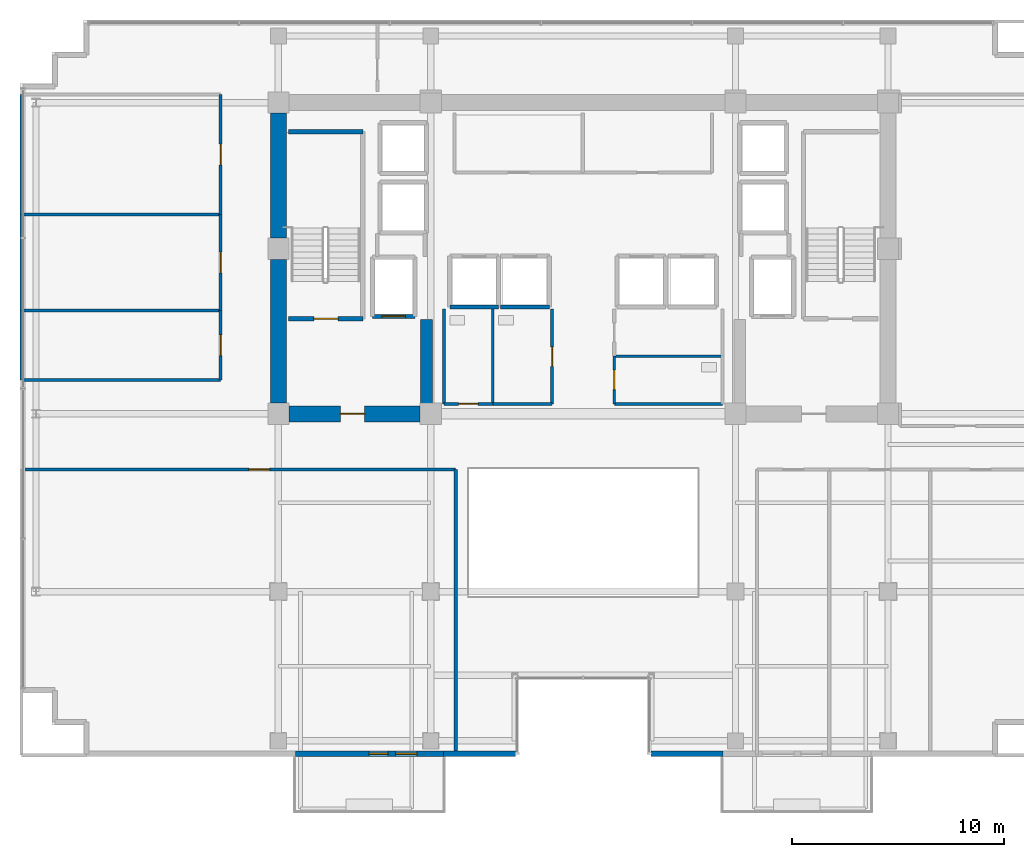
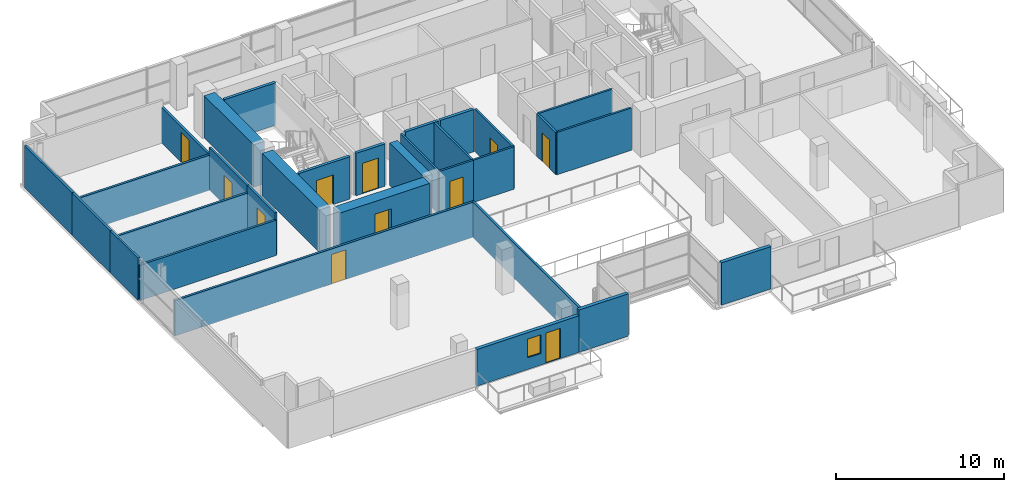
# One storey, part 18 of 25: 31 walls, 11 doors, 1 window, 12 openings.
"""IFC4 building model written with IfcOpenShell, lengths in metres."""

from ifc_helpers import new_model, si_unit, direction, frame, frame_2d, origin, place, context, subcontext, project, spatial, rectangle, extrude, source, transform, mapped, material, layer, layer_set, type_object, element, fill, save


model = new_model("IFC4")

# Units and contexts
model_context = context("Model", 3, precision=1e-05, world=origin(), true_north=direction((0.0, 1.0)))
body_context = subcontext(model_context, "Body", "Model", "MODEL_VIEW")
ifc_project = project(units=[si_unit("LENGTHUNIT", "METRE"), si_unit("AREAUNIT", "SQUARE_METRE"), si_unit("VOLUMEUNIT", "CUBIC_METRE"), si_unit("PLANEANGLEUNIT", "RADIAN"), si_unit("MASSUNIT", "GRAM", prefix="KILO")], contexts=[model_context])

# Site, building, storey
site_placement = place(None, origin())
site = spatial("IfcSite", under=ifc_project, at=site_placement, CompositionType="ELEMENT")
building_placement = place(site_placement, origin())
building = spatial("IfcBuilding", under=site, at=building_placement, Name="Zarnakvel Exchange Tower", CompositionType="ELEMENT")
storey_placement = place(building_placement, frame((0.0, 0.0, 156.10009765625)))
storey = spatial("IfcBuildingStorey", under=building, at=storey_placement, Name="L43", CompositionType="ELEMENT", Elevation=156.10009765625)

# Walls
ifc_material_1 = material(Name="Concrete C60/75", Category="concrete")
ifc_layer_1 = layer(ifc_material_1, 0.75)
ifc_layer_set_1 = layer_set([ifc_layer_1], Name="Concrete C60/75")
wall_type_1 = type_object("IfcWallType", Name="CW-C3", PredefinedType="SHEAR", material=ifc_layer_set_1)
wall_1_placement = place(storey_placement, frame((-14.39990234375, -0.699951171875, 0.0), z_axis=(0.0, 0.0, 1.0), x_axis=(0.0, 1.0, 0.0)))
element("IfcWall", 1, at=wall_1_placement, inside=storey, type_object=wall_type_1, Name="L43 Rear Core Shear Wall W1 (CW-C3)", PredefinedType="SHEAR", context=body_context, shape_type="SweptSolid", body=[
    extrude(rectangle(XDim=6.800048828125, YDim=0.75, at=frame_2d((3.39990234375, 0.0))), origin(), (0.0, 0.0, 1.0), 3.074951171875),
])
wall_2_placement = place(storey_placement, frame((-14.39990234375, 7.10009765625, 0.0), z_axis=(0.0, 0.0, 1.0), x_axis=(0.0, 1.0, 0.0)))
element("IfcWall", 2, at=wall_2_placement, inside=storey, type_object=wall_type_1, Name="L43 Rear Core Shear Wall W2 (CW-C3)", PredefinedType="SHEAR", context=body_context, shape_type="SweptSolid", body=[
    extrude(rectangle(XDim=5.89990234375, YDim=0.75, at=frame_2d((2.949951171875, 0.0))), origin(), (0.0, 0.0, 1.0), 3.074951171875),
])

# Wall, opening, door
wall_3_placement = place(storey_placement, frame((-7.699951171875, -1.199951171875, 0.0), z_axis=(0.0, 0.0, 1.0), x_axis=(-1.0, 0.0, 0.0)))
wall_3 = element("IfcWall", 3, at=wall_3_placement, inside=storey, type_object=wall_type_1, Name="L43 Rear Core Shear Wall SW (CW-C3)", PredefinedType="SHEAR", context=body_context, shape_type="SweptSolid", body=[
    extrude(rectangle(XDim=6.199951171875, YDim=0.75, at=frame_2d((3.10009765625, 0.0))), origin(), (0.0, 0.0, 1.0), 3.074951171875),
])
opening_1_placement = place(wall_3_placement, frame((2.625, 0.0, 0.0)))
opening_1 = element("IfcOpeningElement", 4, at=opening_1_placement, cuts=wall_3, Name="Opening D-L43-03", PredefinedType="OPENING", context=body_context, shape_type="SweptSolid", body=[
    extrude(rectangle(XDim=1.14990234375, YDim=2.14990234375, at=frame_2d((0.574951171875, 1.074951171875))), frame((0.0, 0.385009765625, 0.0), z_axis=(0.0, -1.0, 0.0), x_axis=(1.0, 0.0, 0.0)), (0.0, 0.0, 1.0), 0.77001953125),
])
ifc_material_2 = material(Name="Painted Galvanised Steel S355", Category="steel")
door_type_1 = type_object("IfcDoorType", Name="DT-04", OperationType="NOTDEFINED", PredefinedType="DOOR", material=ifc_material_2)
shared_shape_1 = source(origin(), body_context, "Body", "SweptSolid", [
    extrude(rectangle(XDim=1.14990234375, YDim=2.14990234375, at=frame_2d((0.574951171875, 1.074951171875))), frame((0.0, 0.02490234375, 0.0), z_axis=(0.0, -1.0, 0.0), x_axis=(1.0, 0.0, 0.0)), (0.0, 0.0, 1.0), 0.050048828125),
])
door_1_placement = place(opening_1_placement, origin())
door_1 = element("IfcDoor", 5, at=door_1_placement, inside=storey, type_object=door_type_1, Name="L43 Firefighting Lobby West Door D-L43-03", OperationType="SINGLE_SWING_RIGHT", OverallHeight=2.14990234375, OverallWidth=1.14990234375, PredefinedType="DOOR", context=body_context, shape_type="MappedRepresentation", body=[
    mapped(shared_shape_1, transform((0.0, 0.0, 0.0), x_axis=(1.0, 0.0, 0.0), y_axis=(0.0, 1.0, 0.0), z_axis=(0.0, 0.0, 1.0), scale=1.0)),
])
fill(opening_1, door_1)

# Wall
ifc_layer_2 = layer(ifc_material_1, 0.550048828125)
ifc_layer_set_2 = layer_set([ifc_layer_2], Name="Concrete C60/75")
wall_type_2 = type_object("IfcWallType", Name="CW-C4", PredefinedType="SHEAR", material=ifc_layer_set_2)
wall_4_placement = place(storey_placement, frame((-7.39990234375, -0.824951171875, 0.0), z_axis=(0.0, 0.0, 1.0), x_axis=(0.0, 1.0, 0.0)))
element("IfcWall", 6, at=wall_4_placement, inside=storey, type_object=wall_type_2, Name="L43 Rear Core Shear Wall IW (CW-C4)", PredefinedType="SHEAR", context=body_context, shape_type="SweptSolid", body=[
    extrude(rectangle(XDim=4.074951171875, YDim=0.550048828125, at=frame_2d((2.03759765625, 0.0))), origin(), (0.0, 0.0, 1.0), 3.074951171875),
])

# Wall, openings, door, window
ifc_material_3 = material(Name="Precast concrete C40/50", Category="concrete")
ifc_layer_3 = layer(ifc_material_3, 0.239990234375)
ifc_layer_set_3 = layer_set([ifc_layer_3], Name="Precast concrete C40/50")
wall_type_3 = type_object("IfcWallType", Name="EW-02", PredefinedType="SOLIDWALL", material=ifc_layer_set_3)
wall_5_placement = place(storey_placement, frame((-6.60009765625, -17.260009765625, 0.0), z_axis=(0.0, 0.0, 1.0), x_axis=(-1.0, 0.0, 0.0)))
wall_5 = element("IfcWall", 7, at=wall_5_placement, inside=storey, type_object=wall_type_3, Name="L43 Exterior Precast Spandrel Wall EW-BAL-L43-SW (EW-02)", PredefinedType="SOLIDWALL", context=body_context, shape_type="SweptSolid", body=[
    extrude(rectangle(XDim=7.0, YDim=0.239990234375, at=frame_2d((3.5, 0.0))), origin(), (0.0, 0.0, 1.0), 2.664794921875),
])
opening_2_placement = place(wall_5_placement, frame((1.260009765625, 0.0, 0.0)))
opening_2 = element("IfcOpeningElement", 8, at=opening_2_placement, cuts=wall_5, Name="Opening BD-L43-01", PredefinedType="OPENING", context=body_context, shape_type="SweptSolid", body=[
    extrude(rectangle(XDim=1.0, YDim=2.199951171875, at=frame_2d((0.5, 1.10009765625))), frame((0.0, 0.1298828125, 0.0), z_axis=(0.0, -1.0, 0.0), x_axis=(1.0, 0.0, 0.0)), (0.0, 0.0, 1.0), 0.260009765625),
])
opening_3_placement = place(wall_5_placement, frame((2.610107421875, 0.0, 0.85009765625)))
opening_3 = element("IfcOpeningElement", 9, at=opening_3_placement, cuts=wall_5, Name="Opening WN-06", PredefinedType="OPENING", context=body_context, shape_type="SweptSolid", body=[
    extrude(rectangle(XDim=0.89990234375, YDim=1.35009765625, at=frame_2d((0.449951171875, 0.675048828125))), frame((0.0, 0.1298828125, 0.0), z_axis=(0.0, -1.0, 0.0), x_axis=(1.0, 0.0, 0.0)), (0.0, 0.0, 1.0), 0.260009765625),
])
ifc_material_4 = material(Name="Architectural Bronze Anodised Aluminium", Category="aluminium")
door_type_2 = type_object("IfcDoorType", Name="DT-09", OperationType="NOTDEFINED", PredefinedType="DOOR", material=ifc_material_4)
shared_shape_2 = source(origin(), body_context, "Body", "SweptSolid", [
    extrude(rectangle(XDim=1.0, YDim=2.199951171875, at=frame_2d((0.5, 1.10009765625))), frame((0.0, 0.02490234375, 0.0), z_axis=(0.0, -1.0, 0.0), x_axis=(1.0, 0.0, 0.0)), (0.0, 0.0, 1.0), 0.050048828125),
])
door_2_placement = place(opening_2_placement, origin())
door_2 = element("IfcDoor", 10, at=door_2_placement, inside=storey, type_object=door_type_2, Name="L43 Planted Loggia Balcony Door BD-L43-01", OperationType="SINGLE_SWING_LEFT", OverallHeight=2.199951171875, OverallWidth=1.0, PredefinedType="DOOR", context=body_context, shape_type="MappedRepresentation", body=[
    mapped(shared_shape_2, transform((0.0, 0.0, 0.0), x_axis=(1.0, 0.0, 0.0), y_axis=(0.0, 1.0, 0.0), z_axis=(0.0, 0.0, 1.0), scale=1.0)),
])
fill(opening_2, door_2)
ifc_material_5 = material(Name="Double Low-E Laminated Vision Glass", Category="glass")
window_type = type_object("IfcWindowType", Name="WN-06", PartitioningType="SINGLE_PANEL", PredefinedType="WINDOW", material=ifc_material_5)
shared_shape_3 = source(origin(), body_context, "Body", "SweptSolid", [
    extrude(rectangle(XDim=0.89990234375, YDim=1.35009765625, at=frame_2d((0.449951171875, 0.675048828125))), frame((0.0, 0.030029296875, 0.0), z_axis=(0.0, -1.0, 0.0), x_axis=(1.0, 0.0, 0.0)), (0.0, 0.0, 1.0), 0.06005859375),
])
window_placement = place(opening_3_placement, origin())
window = element("IfcWindow", 11, at=window_placement, inside=storey, type_object=window_type, Name="L43 Loggia Daylight Window (WN-06)", OverallHeight=1.35009765625, OverallWidth=0.89990234375, PartitioningType="SINGLE_PANEL", PredefinedType="WINDOW", context=body_context, shape_type="MappedRepresentation", body=[
    mapped(shared_shape_3, transform((0.0, 0.0, 0.0), x_axis=(1.0, 0.0, 0.0), y_axis=(0.0, 1.0, 0.0), z_axis=(0.0, 0.0, 1.0), scale=1.0)),
])
fill(opening_3, window)

# Walls
for number, where, z_axis, x_axis, name in (
    (12, (3.199951171875, -17.260009765625, 0.0), (0.0, 0.0, 1.0), (1.0, 0.0, 0.0), "L43 Exterior Precast Spandrel Wall EWC-L43-16 (EW-02)"),
    (13, (-6.60009765625, -17.260009765625, 0.0), (0.0, 0.0, 1.0), (1.0, 0.0, 0.0), "L43 Exterior Precast Spandrel Wall EWC-L43-21 (EW-02)"),
):
    element("IfcWall", number, at=place(storey_placement, frame(where, z_axis=z_axis, x_axis=x_axis)), inside=storey, type_object=wall_type_3, Name=name, PredefinedType="SOLIDWALL", context=body_context, shape_type="SweptSolid", body=[
        extrude(rectangle(XDim=3.400146484375, YDim=0.239990234375, at=frame_2d((1.7001953125, 0.0))), origin(), (0.0, 0.0, 1.0), 3.074951171875),
    ])

# Wall, opening, door
ifc_material_6 = material(Name="Fire-Rated Gypsum Stud Partition", Category="gypsum")
ifc_layer_4 = layer(ifc_material_6, 0.14990234375)
ifc_layer_set_4 = layer_set([ifc_layer_4], Name="Fire-Rated Gypsum Stud Partition")
wall_type_4 = type_object("IfcWallType", Name="PT-01", PredefinedType="PARTITIONING", material=ifc_layer_set_4)
wall_6_placement = place(storey_placement, frame((-26.530029296875, -3.830078125, 0.0), z_axis=(0.0, 0.0, 1.0), x_axis=(1.0, 0.0, 0.0)))
wall_6 = element("IfcWall", 14, at=wall_6_placement, inside=storey, type_object=wall_type_4, Name="L43 Partition Wall PWALL-L43-028 (PT-01)", PredefinedType="PARTITIONING", context=body_context, shape_type="SweptSolid", body=[
    extrude(rectangle(XDim=20.510009765625, YDim=0.14990234375, at=frame_2d((10.2548828125, 0.0))), origin(), (0.0, 0.0, 1.0), 2.56494140625),
])
opening_4_placement = place(wall_6_placement, frame((10.739990234375, 0.0, 0.0)))
opening_4 = element("IfcOpeningElement", 15, at=opening_4_placement, cuts=wall_6, Name="Opening D-L43-11", PredefinedType="OPENING", context=body_context, shape_type="SweptSolid", body=[
    extrude(rectangle(XDim=0.97998046875, YDim=2.14990234375, at=frame_2d((0.489990234375, 1.074951171875))), frame((0.0, 0.0849609375, 0.0), z_axis=(0.0, -1.0, 0.0), x_axis=(1.0, 0.0, 0.0)), (0.0, 0.0, 1.0), 0.169921875),
])
ifc_material_7 = material(Name="Timber Acoustic Veneer", Category="wood")
door_type_3 = type_object("IfcDoorType", Name="DT-05", OperationType="NOTDEFINED", PredefinedType="DOOR", material=ifc_material_7)
shared_shape_4 = source(origin(), body_context, "Body", "SweptSolid", [
    extrude(rectangle(XDim=0.97998046875, YDim=2.14990234375, at=frame_2d((0.489990234375, 1.074951171875))), frame((0.0, 0.02490234375, 0.0), z_axis=(0.0, -1.0, 0.0), x_axis=(1.0, 0.0, 0.0)), (0.0, 0.0, 1.0), 0.050048828125),
])
door_3_placement = place(opening_4_placement, origin())
door_3 = element("IfcDoor", 16, at=door_3_placement, inside=storey, type_object=door_type_3, Name="L43 Institutional Dealing Room Door D-L43-11", OperationType="SINGLE_SWING_RIGHT", OverallHeight=2.14990234375, OverallWidth=0.97998046875, PredefinedType="DOOR", context=body_context, shape_type="MappedRepresentation", body=[
    mapped(shared_shape_4, transform((0.0, 0.0, 0.0), x_axis=(1.0, 0.0, 0.0), y_axis=(0.0, 1.0, 0.0), z_axis=(0.0, 0.0, 1.0), scale=1.0)),
])
fill(opening_4, door_3)

# Walls
wall_7_placement = place(storey_placement, frame((-6.02001953125, -3.830078125, 0.0), z_axis=(0.0, 0.0, 1.0), x_axis=(0.0, -1.0, 0.0)))
element("IfcWall", 17, at=wall_7_placement, inside=storey, type_object=wall_type_4, Name="L43 Partition Wall PWALL-L43-030 (PT-01)", PredefinedType="PARTITIONING", context=body_context, shape_type="SweptSolid", body=[
    extrude(rectangle(XDim=13.5, YDim=0.14990234375, at=frame_2d((6.75, 0.0))), origin(), (0.0, 0.0, 1.0), 2.56494140625),
])
for number, where, z_axis, x_axis, name in (
    (18, (-17.1298828125, 0.391357421875, 0.0), (0.0, 0.0, 1.0), (-1.0, 0.0, 0.0), "L43 Partition Wall PWALL-L43-041 (PT-01)"),
    (19, (-26.530029296875, 3.678466796875, 0.0), (0.0, 0.0, 1.0), (1.0, 0.0, 0.0), "L43 Partition Wall PWALL-L43-042 (PT-01)"),
):
    element("IfcWall", number, at=place(storey_placement, frame(where, z_axis=z_axis, x_axis=x_axis)), inside=storey, type_object=wall_type_4, Name=name, PredefinedType="PARTITIONING", context=body_context, shape_type="SweptSolid", body=[
        extrude(rectangle(XDim=9.400146484375, YDim=0.14990234375, at=frame_2d((4.7001953125, 0.0))), origin(), (0.0, 0.0, 1.0), 2.56494140625),
    ])
wall_8_placement = place(storey_placement, frame((-26.530029296875, 0.391357421875, 0.0), z_axis=(0.0, 0.0, 1.0), x_axis=(0.0, 1.0, 0.0)))
element("IfcWall", 20, at=wall_8_placement, inside=storey, type_object=wall_type_4, Name="L43 Partition Wall PWALL-L43-043 (PT-01)", PredefinedType="PARTITIONING", context=body_context, shape_type="SweptSolid", body=[
    extrude(rectangle(XDim=3.287109375, YDim=0.14990234375, at=frame_2d((1.6435546875, 0.0))), origin(), (0.0, 0.0, 1.0), 3.074951171875),
])

# Wall, opening, door
wall_9_placement = place(storey_placement, frame((-17.1298828125, 3.678466796875, 0.0), z_axis=(0.0, 0.0, 1.0), x_axis=(0.0, -1.0, 0.0)))
wall_9 = element("IfcWall", 21, at=wall_9_placement, inside=storey, type_object=wall_type_4, Name="L43 Partition Wall PWALL-L43-044 (PT-01)", PredefinedType="PARTITIONING", context=body_context, shape_type="SweptSolid", body=[
    extrude(rectangle(XDim=3.287109375, YDim=0.14990234375, at=frame_2d((1.6435546875, 0.0))), origin(), (0.0, 0.0, 1.0), 3.074951171875),
])
opening_5_placement = place(wall_9_placement, frame((1.1533203125, 0.0, 0.0)))
opening_5 = element("IfcOpeningElement", 22, at=opening_5_placement, cuts=wall_9, Name="Opening D-L43-15", PredefinedType="OPENING", context=body_context, shape_type="SweptSolid", body=[
    extrude(rectangle(XDim=0.97998046875, YDim=2.14990234375, at=frame_2d((0.489990234375, 1.074951171875))), frame((0.0, 0.0849609375, 0.0), z_axis=(0.0, -1.0, 0.0), x_axis=(1.0, 0.0, 0.0)), (0.0, 0.0, 1.0), 0.169921875),
])
door_4_placement = place(opening_5_placement, origin())
door_4 = element("IfcDoor", 23, at=door_4_placement, inside=storey, type_object=door_type_3, Name="L43 Breakout Pantry Door D-L43-15", OperationType="SINGLE_SWING_RIGHT", OverallHeight=2.14990234375, OverallWidth=0.97998046875, PredefinedType="DOOR", context=body_context, shape_type="MappedRepresentation", body=[
    mapped(shared_shape_4, transform((0.0, 0.0, 0.0), x_axis=(1.0, 0.0, 0.0), y_axis=(0.0, 1.0, 0.0), z_axis=(0.0, 0.0, 1.0), scale=1.0)),
])
fill(opening_5, door_4)

# Walls
wall_10_placement = place(storey_placement, frame((-26.530029296875, 8.21630859375, 0.0), z_axis=(0.0, 0.0, 1.0), x_axis=(1.0, 0.0, 0.0)))
element("IfcWall", 24, at=wall_10_placement, inside=storey, type_object=wall_type_4, Name="L43 Partition Wall PWALL-L43-045 (PT-01)", PredefinedType="PARTITIONING", context=body_context, shape_type="SweptSolid", body=[
    extrude(rectangle(XDim=9.400146484375, YDim=0.14990234375, at=frame_2d((4.7001953125, 0.0))), origin(), (0.0, 0.0, 1.0), 2.56494140625),
])
wall_11_placement = place(storey_placement, frame((-26.530029296875, 3.678466796875, 0.0), z_axis=(0.0, 0.0, 1.0), x_axis=(0.0, 1.0, 0.0)))
element("IfcWall", 25, at=wall_11_placement, inside=storey, type_object=wall_type_4, Name="L43 Partition Wall PWALL-L43-046 (PT-01)", PredefinedType="PARTITIONING", context=body_context, shape_type="SweptSolid", body=[
    extrude(rectangle(XDim=4.537841796875, YDim=0.14990234375, at=frame_2d((2.26904296875, 0.0))), origin(), (0.0, 0.0, 1.0), 3.074951171875),
])

# Wall, opening, door
wall_12_placement = place(storey_placement, frame((-17.1298828125, 8.21630859375, 0.0), z_axis=(0.0, 0.0, 1.0), x_axis=(0.0, -1.0, 0.0)))
wall_12 = element("IfcWall", 26, at=wall_12_placement, inside=storey, type_object=wall_type_4, Name="L43 Partition Wall PWALL-L43-047 (PT-01)", PredefinedType="PARTITIONING", context=body_context, shape_type="SweptSolid", body=[
    extrude(rectangle(XDim=4.537841796875, YDim=0.14990234375, at=frame_2d((2.26904296875, 0.0))), origin(), (0.0, 0.0, 1.0), 3.074951171875),
])
opening_6_placement = place(wall_12_placement, frame((1.779296875, 0.0, 0.0)))
opening_6 = element("IfcOpeningElement", 27, at=opening_6_placement, cuts=wall_12, Name="Opening D-L43-16", PredefinedType="OPENING", context=body_context, shape_type="SweptSolid", body=[
    extrude(rectangle(XDim=0.97998046875, YDim=2.14990234375, at=frame_2d((0.489990234375, 1.074951171875))), frame((0.0, 0.0849609375, 0.0), z_axis=(0.0, -1.0, 0.0), x_axis=(1.0, 0.0, 0.0)), (0.0, 0.0, 1.0), 0.169921875),
])
door_5_placement = place(opening_6_placement, origin())
door_5 = element("IfcDoor", 28, at=door_5_placement, inside=storey, type_object=door_type_3, Name="L43 Settlement Office Door D-L43-16", OperationType="SINGLE_SWING_LEFT", OverallHeight=2.14990234375, OverallWidth=0.97998046875, PredefinedType="DOOR", context=body_context, shape_type="MappedRepresentation", body=[
    mapped(shared_shape_4, transform((0.0, 0.0, 0.0), x_axis=(1.0, 0.0, 0.0), y_axis=(0.0, 1.0, 0.0), z_axis=(0.0, 0.0, 1.0), scale=1.0)),
])
fill(opening_6, door_5)

# Wall
wall_13_placement = place(storey_placement, frame((-26.530029296875, 8.21630859375, 0.0), z_axis=(0.0, 0.0, 1.0), x_axis=(0.0, 1.0, 0.0)))
element("IfcWall", 29, at=wall_13_placement, inside=storey, type_object=wall_type_4, Name="L43 Partition Wall PWALL-L43-049 (PT-01)", PredefinedType="PARTITIONING", context=body_context, shape_type="SweptSolid", body=[
    extrude(rectangle(XDim=5.66357421875, YDim=0.14990234375, at=frame_2d((2.831787109375, 0.0))), origin(), (0.0, 0.0, 1.0), 3.074951171875),
])

# Wall, opening, door
wall_14_placement = place(storey_placement, frame((-17.1298828125, 13.8798828125, 0.0), z_axis=(0.0, 0.0, 1.0), x_axis=(0.0, -1.0, 0.0)))
wall_14 = element("IfcWall", 30, at=wall_14_placement, inside=storey, type_object=wall_type_4, Name="L43 Partition Wall PWALL-L43-050 (PT-01)", PredefinedType="PARTITIONING", context=body_context, shape_type="SweptSolid", body=[
    extrude(rectangle(XDim=5.66357421875, YDim=0.14990234375, at=frame_2d((2.831787109375, 0.0))), origin(), (0.0, 0.0, 1.0), 2.56494140625),
])
opening_7_placement = place(wall_14_placement, frame((2.342041015625, 0.0, 0.0)))
opening_7 = element("IfcOpeningElement", 31, at=opening_7_placement, cuts=wall_14, Name="Opening D-L43-17", PredefinedType="OPENING", context=body_context, shape_type="SweptSolid", body=[
    extrude(rectangle(XDim=0.97998046875, YDim=2.14990234375, at=frame_2d((0.489990234375, 1.074951171875))), frame((0.0, 0.0849609375, 0.0), z_axis=(0.0, -1.0, 0.0), x_axis=(1.0, 0.0, 0.0)), (0.0, 0.0, 1.0), 0.169921875),
])
door_6_placement = place(opening_7_placement, origin())
door_6 = element("IfcDoor", 32, at=door_6_placement, inside=storey, type_object=door_type_3, Name="L43 Reception Lounge Door D-L43-17", OperationType="SINGLE_SWING_RIGHT", OverallHeight=2.14990234375, OverallWidth=0.97998046875, PredefinedType="DOOR", context=body_context, shape_type="MappedRepresentation", body=[
    mapped(shared_shape_4, transform((0.0, 0.0, 0.0), x_axis=(1.0, 0.0, 0.0), y_axis=(0.0, 1.0, 0.0), z_axis=(0.0, 0.0, 1.0), scale=1.0)),
])
fill(opening_7, door_6)

ifc_material_8 = material(Name="Moisture-Resistant Tile-Faced Partition", Category="gypsum")
ifc_layer_5 = layer(ifc_material_8, 0.135009765625)
ifc_layer_set_5 = layer_set([ifc_layer_5], Name="Moisture-Resistant Tile-Faced Partition")
wall_type_5 = type_object("IfcWallType", Name="PT-03", PredefinedType="PARTITIONING", material=ifc_layer_set_5)
wall_15_placement = place(storey_placement, frame((-4.27001953125, -0.72998046875, 0.0), z_axis=(0.0, 0.0, 1.0), x_axis=(-1.0, 0.0, 0.0)))
wall_15 = element("IfcWall", 33, at=wall_15_placement, inside=storey, type_object=wall_type_5, Name="L43 Partition Wall PWALL-L43-016 (PT-03)", PredefinedType="PARTITIONING", context=body_context, shape_type="SweptSolid", body=[
    extrude(rectangle(XDim=2.31005859375, YDim=0.135009765625, at=frame_2d((1.155029296875, 0.0))), origin(), (0.0, 0.0, 1.0), 3.074951171875),
])
opening_8_placement = place(wall_15_placement, frame((0.68994140625, 0.0, 0.0)))
opening_8 = element("IfcOpeningElement", 34, at=opening_8_placement, cuts=wall_15, Name="Opening D-L43-07", PredefinedType="OPENING", context=body_context, shape_type="SweptSolid", body=[
    extrude(rectangle(XDim=0.919921875, YDim=2.10009765625, at=frame_2d((0.4599609375, 1.050048828125))), frame((0.0, 0.077392578125, 0.0), z_axis=(0.0, -1.0, 0.0), x_axis=(1.0, 0.0, 0.0)), (0.0, 0.0, 1.0), 0.155029296875),
])
ifc_material_9 = material(Name="Moisture-Resistant Laminate Timber", Category="wood")
door_type_4 = type_object("IfcDoorType", Name="DT-07", OperationType="NOTDEFINED", PredefinedType="DOOR", material=ifc_material_9)
shared_shape_5 = source(origin(), body_context, "Body", "SweptSolid", [
    extrude(rectangle(XDim=0.919921875, YDim=2.10009765625, at=frame_2d((0.4599609375, 1.050048828125))), frame((0.0, 0.02490234375, 0.0), z_axis=(0.0, -1.0, 0.0), x_axis=(1.0, 0.0, 0.0)), (0.0, 0.0, 1.0), 0.050048828125),
])
door_7_placement = place(opening_8_placement, origin())
door_7 = element("IfcDoor", 35, at=door_7_placement, inside=storey, type_object=door_type_4, Name="L43 Female Toilet Door D-L43-07", OperationType="SINGLE_SWING_RIGHT", OverallHeight=2.10009765625, OverallWidth=0.919921875, PredefinedType="DOOR", context=body_context, shape_type="MappedRepresentation", body=[
    mapped(shared_shape_5, transform((0.0, 0.0, 0.0), x_axis=(1.0, 0.0, 0.0), y_axis=(0.0, 1.0, 0.0), z_axis=(0.0, 0.0, 1.0), scale=1.0)),
])
fill(opening_8, door_7)

# Walls
for number, where, z_axis, x_axis, name in (
    (36, (-6.580078125, -0.72998046875, 0.0), (0.0, 0.0, 1.0), (0.0, 1.0, 0.0), "L43 Partition Wall PWALL-L43-017 (PT-03)"),
    (37, (-4.27001953125, 3.760009765625, 0.0), (0.0, 0.0, 1.0), (0.0, -1.0, 0.0), "L43 Partition Wall PWALL-L43-018 (PT-03)"),
):
    element("IfcWall", number, at=place(storey_placement, frame(where, z_axis=z_axis, x_axis=x_axis)), inside=storey, type_object=wall_type_5, Name=name, PredefinedType="PARTITIONING", context=body_context, shape_type="SweptSolid", body=[
        extrude(rectangle(XDim=4.489990234375, YDim=0.135009765625, at=frame_2d((2.2451171875, 0.0))), origin(), (0.0, 0.0, 1.0), 3.074951171875),
    ])
wall_16_placement = place(storey_placement, frame((-1.469970703125, -0.72998046875, 0.0), z_axis=(0.0, 0.0, 1.0), x_axis=(-1.0, 0.0, 0.0)))
element("IfcWall", 38, at=wall_16_placement, inside=storey, type_object=wall_type_5, Name="L43 Partition Wall PWALL-L43-019 (PT-03)", PredefinedType="PARTITIONING", context=body_context, shape_type="SweptSolid", body=[
    extrude(rectangle(XDim=2.800048828125, YDim=0.135009765625, at=frame_2d((1.39990234375, 0.0))), origin(), (0.0, 0.0, 1.0), 3.074951171875),
])

# Wall, opening, door
wall_17_placement = place(storey_placement, frame((-1.469970703125, 3.760009765625, 0.0), z_axis=(0.0, 0.0, 1.0), x_axis=(0.0, -1.0, 0.0)))
wall_17 = element("IfcWall", 39, at=wall_17_placement, inside=storey, type_object=wall_type_5, Name="L43 Partition Wall PWALL-L43-020 (PT-03)", PredefinedType="PARTITIONING", context=body_context, shape_type="SweptSolid", body=[
    extrude(rectangle(XDim=4.489990234375, YDim=0.135009765625, at=frame_2d((2.2451171875, 0.0))), origin(), (0.0, 0.0, 1.0), 3.074951171875),
])
opening_9_placement = place(wall_17_placement, frame((1.800048828125, 0.0, 0.0)))
opening_9 = element("IfcOpeningElement", 40, at=opening_9_placement, cuts=wall_17, Name="Opening D-L43-08", PredefinedType="OPENING", context=body_context, shape_type="SweptSolid", body=[
    extrude(rectangle(XDim=0.919921875, YDim=2.10009765625, at=frame_2d((0.4599609375, 1.050048828125))), frame((0.0, 0.077392578125, 0.0), z_axis=(0.0, -1.0, 0.0), x_axis=(1.0, 0.0, 0.0)), (0.0, 0.0, 1.0), 0.155029296875),
])
door_8_placement = place(opening_9_placement, origin())
door_8 = element("IfcDoor", 41, at=door_8_placement, inside=storey, type_object=door_type_4, Name="L43 Male Toilet Door D-L43-08", OperationType="SINGLE_SWING_LEFT", OverallHeight=2.10009765625, OverallWidth=0.919921875, PredefinedType="DOOR", context=body_context, shape_type="MappedRepresentation", body=[
    mapped(shared_shape_5, transform((0.0, 0.0, 0.0), x_axis=(1.0, 0.0, 0.0), y_axis=(0.0, 1.0, 0.0), z_axis=(0.0, 0.0, 1.0), scale=1.0)),
])
fill(opening_9, door_8)

# Walls
for number, where, z_axis, x_axis, name in (
    (42, (6.580078125, -0.72998046875, 0.0), (0.0, 0.0, 1.0), (-1.0, 0.0, 0.0), "L43 Partition Wall PWALL-L43-021 (PT-03)"),
    (43, (1.469970703125, 1.52001953125, 0.0), (0.0, 0.0, 1.0), (1.0, 0.0, 0.0), "L43 Partition Wall PWALL-L43-022 (PT-03)"),
):
    element("IfcWall", number, at=place(storey_placement, frame(where, z_axis=z_axis, x_axis=x_axis)), inside=storey, type_object=wall_type_5, Name=name, PredefinedType="PARTITIONING", context=body_context, shape_type="SweptSolid", body=[
        extrude(rectangle(XDim=5.110107421875, YDim=0.135009765625, at=frame_2d((2.55517578125, 0.0))), origin(), (0.0, 0.0, 1.0), 3.074951171875),
    ])

# Wall, opening, door
wall_18_placement = place(storey_placement, frame((1.469970703125, -0.72998046875, 0.0), z_axis=(0.0, 0.0, 1.0), x_axis=(0.0, 1.0, 0.0)))
wall_18 = element("IfcWall", 44, at=wall_18_placement, inside=storey, type_object=wall_type_5, Name="L43 Partition Wall PWALL-L43-023 (PT-03)", PredefinedType="PARTITIONING", context=body_context, shape_type="SweptSolid", body=[
    extrude(rectangle(XDim=2.25, YDim=0.135009765625, at=frame_2d((1.125, 0.0))), origin(), (0.0, 0.0, 1.0), 3.074951171875),
])
opening_10_placement = place(wall_18_placement, frame((0.669921875, 0.0, 0.0)))
opening_10 = element("IfcOpeningElement", 45, at=opening_10_placement, cuts=wall_18, Name="Opening D-L43-09", PredefinedType="OPENING", context=body_context, shape_type="SweptSolid", body=[
    extrude(rectangle(XDim=0.919921875, YDim=2.10009765625, at=frame_2d((0.4599609375, 1.050048828125))), frame((0.0, 0.077392578125, 0.0), z_axis=(0.0, -1.0, 0.0), x_axis=(1.0, 0.0, 0.0)), (0.0, 0.0, 1.0), 0.155029296875),
])
door_9_placement = place(opening_10_placement, origin())
door_9 = element("IfcDoor", 46, at=door_9_placement, inside=storey, type_object=door_type_4, Name="L43 Accessible Toilet Door D-L43-09", OperationType="SINGLE_SWING_RIGHT", OverallHeight=2.10009765625, OverallWidth=0.919921875, PredefinedType="DOOR", context=body_context, shape_type="MappedRepresentation", body=[
    mapped(shared_shape_5, transform((0.0, 0.0, 0.0), x_axis=(1.0, 0.0, 0.0), y_axis=(0.0, 1.0, 0.0), z_axis=(0.0, 0.0, 1.0), scale=1.0)),
])
fill(opening_10, door_9)

ifc_material_10 = material(Name="Concrete C40/50", Category="concrete")
ifc_layer_6 = layer(ifc_material_10, 0.199951171875)
ifc_layer_set_6 = layer_set([ifc_layer_6], Name="Concrete C40/50")
wall_type_6 = type_object("IfcWallType", Name="SW-01", PredefinedType="SOLIDWALL", material=ifc_layer_set_6)
wall_19_placement = place(storey_placement, frame((-7.949951171875, 3.39990234375, 0.0), z_axis=(0.0, 0.0, 1.0), x_axis=(-1.0, 0.0, 0.0)))
wall_19 = element("IfcWall", 47, at=wall_19_placement, inside=storey, type_object=wall_type_6, Name="L43 FL-01 Hoistway Wall South", PredefinedType="SOLIDWALL", context=body_context, shape_type="SweptSolid", body=[
    extrude(rectangle(XDim=2.0, YDim=0.199951171875, at=frame_2d((1.0, 0.0))), origin(), (0.0, 0.0, 1.0), 3.074951171875),
])
opening_11_placement = place(wall_19_placement, frame((0.449951171875, 0.0, 0.0)))
opening_11 = element("IfcOpeningElement", 48, at=opening_11_placement, cuts=wall_19, Name="Opening LD-FL-01-L43", PredefinedType="OPENING", context=body_context, shape_type="SweptSolid", body=[
    extrude(rectangle(XDim=1.10009765625, YDim=2.199951171875, at=frame_2d((0.550048828125, 1.10009765625))), frame((0.0, 0.10986328125, 0.0), z_axis=(0.0, -1.0, 0.0), x_axis=(1.0, 0.0, 0.0)), (0.0, 0.0, 1.0), 0.219970703125),
])
ifc_material_11 = material(Name="Brushed Stainless Steel", Category="steel")
door_type_5 = type_object("IfcDoorType", Name="LDT-01", OperationType="NOTDEFINED", PredefinedType="DOOR", material=ifc_material_11)
shared_shape_6 = source(origin(), body_context, "Body", "SweptSolid", [
    extrude(rectangle(XDim=1.10009765625, YDim=2.199951171875, at=frame_2d((0.550048828125, 1.10009765625))), frame((0.0, 0.02490234375, 0.0), z_axis=(0.0, -1.0, 0.0), x_axis=(1.0, 0.0, 0.0)), (0.0, 0.0, 1.0), 0.050048828125),
])
door_10_placement = place(opening_11_placement, origin())
door_10 = element("IfcDoor", 49, at=door_10_placement, inside=storey, type_object=door_type_5, Name="L43 FL-01 Lift Landing Door LD-FL-01-L43", OperationType="DOUBLE_DOOR_SLIDING", OverallHeight=2.199951171875, OverallWidth=1.10009765625, PredefinedType="DOOR", context=body_context, shape_type="MappedRepresentation", body=[
    mapped(shared_shape_6, transform((0.0, 0.0, 0.0), x_axis=(1.0, 0.0, 0.0), y_axis=(0.0, 1.0, 0.0), z_axis=(0.0, 0.0, 1.0), scale=1.0)),
])
fill(opening_11, door_10)

# Walls
wall_20_placement = place(storey_placement, frame((-4.0, 3.85009765625, 0.0), z_axis=(0.0, 0.0, 1.0), x_axis=(-1.0, 0.0, 0.0)))
element("IfcWall", 50, at=wall_20_placement, inside=storey, type_object=wall_type_6, Name="L43 PL-05 Hoistway Wall South", PredefinedType="SOLIDWALL", context=body_context, shape_type="SweptSolid", body=[
    extrude(rectangle(XDim=2.300048828125, YDim=0.199951171875, at=frame_2d((1.14990234375, 0.0))), origin(), (0.0, 0.0, 1.0), 3.074951171875),
])
wall_21_placement = place(storey_placement, frame((-1.60009765625, 3.85009765625, 0.0), z_axis=(0.0, 0.0, 1.0), x_axis=(-1.0, 0.0, 0.0)))
element("IfcWall", 51, at=wall_21_placement, inside=storey, type_object=wall_type_6, Name="L43 PL-06 Hoistway Wall South", PredefinedType="SOLIDWALL", context=body_context, shape_type="SweptSolid", body=[
    extrude(rectangle(XDim=2.2998046875, YDim=0.199951171875, at=frame_2d((1.14990234375, 0.0))), origin(), (0.0, 0.0, 1.0), 3.074951171875),
])

# Wall, opening, door
ifc_layer_7 = layer(ifc_material_10, 0.199951171875)
ifc_layer_set_7 = layer_set([ifc_layer_7], Name="Concrete C40/50")
wall_type_7 = type_object("IfcWallType", Name="SW-02", PredefinedType="SOLIDWALL", material=ifc_layer_set_7)
wall_22_placement = place(storey_placement, frame((-10.409912109375, 3.2900390625, 0.0), z_axis=(0.0, 0.0, 1.0), x_axis=(-1.0, 0.0, 0.0)))
wall_22 = element("IfcWall", 52, at=wall_22_placement, inside=storey, type_object=wall_type_7, Name="L43 Stairwell Core Wall PWALL-L43-001 (SW-02)", PredefinedType="SOLIDWALL", context=body_context, shape_type="SweptSolid", body=[
    extrude(rectangle(XDim=3.52001953125, YDim=0.199951171875, at=frame_2d((1.760009765625, 0.0))), origin(), (0.0, 0.0, 1.0), 3.074951171875),
])
opening_12_placement = place(wall_22_placement, frame((1.1650390625, 0.0, 0.0)))
opening_12 = element("IfcOpeningElement", 53, at=opening_12_placement, cuts=wall_22, Name="Opening D-L43-01", PredefinedType="OPENING", context=body_context, shape_type="SweptSolid", body=[
    extrude(rectangle(XDim=1.14990234375, YDim=2.14990234375, at=frame_2d((0.574951171875, 1.074951171875))), frame((0.0, 0.10986328125, 0.0), z_axis=(0.0, -1.0, 0.0), x_axis=(1.0, 0.0, 0.0)), (0.0, 0.0, 1.0), 0.219970703125),
])
door_11_placement = place(opening_12_placement, origin())
door_11 = element("IfcDoor", 54, at=door_11_placement, inside=storey, type_object=door_type_1, Name="L43 Stairwell ST-01 Door D-L43-01", OperationType="SINGLE_SWING_RIGHT", OverallHeight=2.14990234375, OverallWidth=1.14990234375, PredefinedType="DOOR", context=body_context, shape_type="MappedRepresentation", body=[
    mapped(shared_shape_1, transform((0.0, 0.0, 0.0), x_axis=(1.0, 0.0, 0.0), y_axis=(0.0, 1.0, 0.0), z_axis=(0.0, 0.0, 1.0), scale=1.0)),
])
fill(opening_12, door_11)

# Wall
wall_23_placement = place(storey_placement, frame((-13.929931640625, 12.1298828125, 0.0), z_axis=(0.0, 0.0, 1.0), x_axis=(1.0, 0.0, 0.0)))
element("IfcWall", 55, at=wall_23_placement, inside=storey, type_object=wall_type_7, Name="L43 Stairwell Core Wall PWALL-L43-002 (SW-02)", PredefinedType="SOLIDWALL", context=body_context, shape_type="SweptSolid", body=[
    extrude(rectangle(XDim=3.52001953125, YDim=0.199951171875, at=frame_2d((1.760009765625, 0.0))), origin(), (0.0, 0.0, 1.0), 3.074951171875),
])

save(model, "model.ifc")
